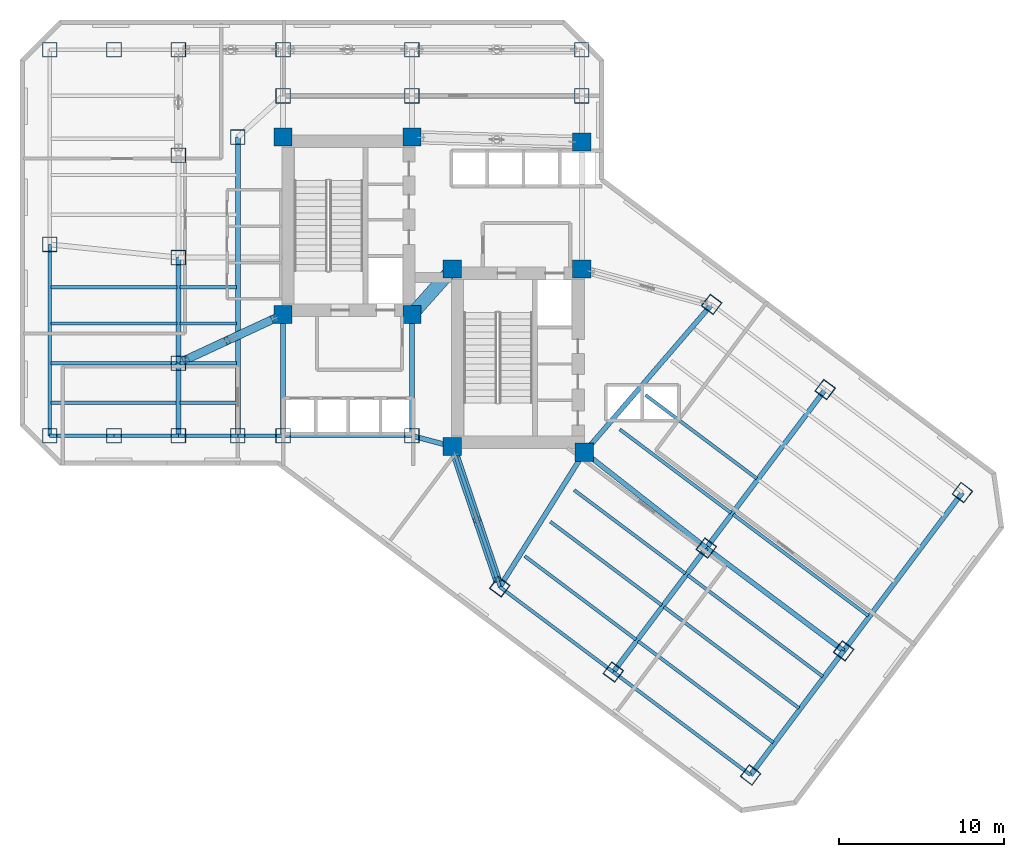
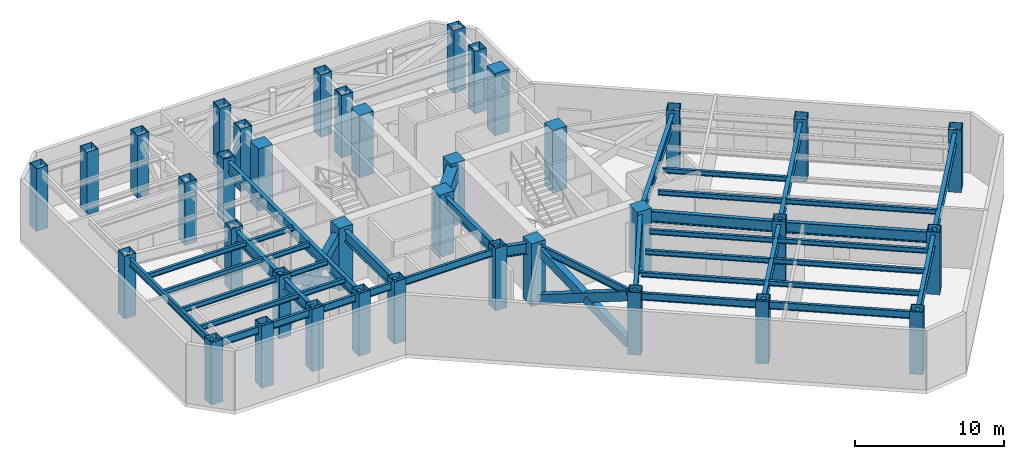
# One storey, part 1 of 14: 41 beams, 37 columns, 6 members.
"""IFC4 building model written with IfcOpenShell, lengths in metres."""

from ifc_helpers import new_model, si_unit, direction, frame, origin, origin_2d, place, context, subcontext, project, spatial, rectangle, hollow_rectangle, i_section, extrude, material, material_profile, profile_set, type_object, element, save


model = new_model("IFC4")

# Units and contexts
model_context = context("Model", 3, precision=1e-05, world=origin(), true_north=direction((0.0, 1.0)))
body_context = subcontext(model_context, "Body", "Model", "MODEL_VIEW")
ifc_project = project(units=[si_unit("LENGTHUNIT", "METRE"), si_unit("AREAUNIT", "SQUARE_METRE"), si_unit("VOLUMEUNIT", "CUBIC_METRE"), si_unit("PLANEANGLEUNIT", "RADIAN"), si_unit("MASSUNIT", "GRAM", prefix="KILO")], contexts=[model_context])

# Site, building, storey
site_placement = place(None, origin())
site = spatial("IfcSite", under=ifc_project, at=site_placement, CompositionType="ELEMENT")
building_placement = place(site_placement, origin())
building = spatial("IfcBuilding", under=site, at=building_placement, Name="Hatsunagi Terrace Concourse", CompositionType="ELEMENT")
storey_placement = place(building_placement, frame((0.0, 0.0, 91.35009765625)))
storey = spatial("IfcBuildingStorey", under=building, at=storey_placement, Name="L24", CompositionType="ELEMENT", Elevation=91.35009765625)

# Columns
ifc_material_1 = material(Name="Concrete Fc60", Category="concrete")
ifc_material_profile_1 = material_profile(ifc_material_1, rectangle(XDim=1.10009765625, YDim=1.10009765625, at=origin_2d()), Name="RC-1100x1100")
ifc_profile_set_1 = profile_set([ifc_material_profile_1], Name="Concrete Fc60")
column_type_1 = type_object("IfcColumnType", Name="CoreColumn_RC_1100x1100", PredefinedType="COLUMN", material=ifc_profile_set_1)
for number, where, z_axis, x_axis, name in (
    (1, (25.550048828125, 32.550048828125, 0.0), (0.0, 0.0, 1.0), (1.0, 0.0, 0.0), "Column C-01 L24-CASW"),
    (2, (33.35009765625, 32.550048828125, 0.0), (0.0, 0.0, 1.0), (1.0, 0.0, 0.0), "Column C-01 L24-CASE"),
    (3, (25.550048828125, 43.300048828125, 0.0), (0.0, 0.0, 1.0), (1.0, 0.0, 0.0), "Column C-01 L24-CANW"),
    (4, (33.35009765625, 43.300048828125, 0.0), (0.0, 0.0, 1.0), (1.0, 0.0, 0.0), "Column C-01 L24-CANE"),
    (5, (35.800048828125, 24.550048828125, 0.0), (0.0, 0.0, 1.0), (1.0, 0.0, 0.0), "Column C-01 L24-CBSW"),
    (6, (43.800048828125, 24.199951171875, 0.0), (0.0, 0.0, 1.0), (1.0, 0.0, 0.0), "Column C-01 L24-CBSE"),
    (7, (35.800048828125, 35.300048828125, 0.0), (0.0, 0.0, 1.0), (1.0, 0.0, 0.0), "Column C-01 L24-CBNW"),
    (8, (43.64990234375, 35.300048828125, 0.0), (0.0, 0.0, 1.0), (1.0, 0.0, 0.0), "Column C-01 L24-CBNE"),
    (9, (43.64990234375, 43.0, 0.0), (0.0, 0.0, 1.0), (1.0, 0.0, 0.0), "Column C-01 L24-K3"),
):
    element("IfcColumn", number, at=place(storey_placement, frame(where, z_axis=z_axis, x_axis=x_axis)), inside=storey, type_object=column_type_1, Name=name, PredefinedType="COLUMN", context=body_context, shape_type="SweptSolid", body=[
        extrude(rectangle(XDim=1.10009765625, YDim=1.10009765625, at=origin_2d()), origin(), (0.0, 0.0, 1.0), 5.099853515625),
    ])
ifc_material_2 = material(Name="Steel BCP325T", Category="steel")
ifc_material_profile_2 = material_profile(ifc_material_2, hollow_rectangle(XDim=0.89990234375, YDim=0.89990234375, WallThickness=0.035888671875, at=origin_2d()), Name="BCP-900x900x36")
ifc_profile_set_2 = profile_set([ifc_material_profile_2], Name="Steel BCP325T")
column_type_2 = type_object("IfcColumnType", Name="TowerBoxColumn_900x900x36", PredefinedType="COLUMN", material=ifc_profile_set_2)
for number, where, z_axis, x_axis, name in (
    (10, (25.550048828125, 25.199951171875, 0.0), (0.0, 0.0, 1.0), (1.0, 0.0, 0.0), "Column C-04 L24-K1"),
    (11, (33.35009765625, 25.199951171875, 0.0), (0.0, 0.0, 1.0), (1.0, 0.0, 0.0), "Column C-04 L24-K2"),
    (12, (25.550048828125, 45.800048828125, 0.0), (0.0, 0.0, 1.0), (1.0, 0.0, 0.0), "Column C-04 L24-CN1"),
    (13, (33.35009765625, 45.800048828125, 0.0), (0.0, 0.0, 1.0), (1.0, 0.0, 0.0), "Column C-04 L24-CN2"),
    (14, (43.64990234375, 45.800048828125, 0.0), (0.0, 0.0, 1.0), (1.0, 0.0, 0.0), "Column C-04 L24-CN3"),
    (15, (11.39990234375, 25.199951171875, 0.0), (0.0, 0.0, 1.0), (1.0, 0.0, 0.0), "Column C-04 L24-WS2"),
    (16, (11.39990234375, 48.60009765625, 0.0), (0.0, 0.0, 1.0), (1.0, 0.0, 0.0), "Column C-04 L24-WN2"),
    (17, (19.199951171875, 48.60009765625, 0.0), (0.0, 0.0, 1.0), (1.0, 0.0, 0.0), "Column C-04 L24-WN3"),
    (18, (25.550048828125, 48.60009765625, 0.0), (0.0, 0.0, 1.0), (1.0, 0.0, 0.0), "Column C-04 L24-WN4"),
    (19, (33.35009765625, 48.60009765625, 0.0), (0.0, 0.0, 1.0), (1.0, 0.0, 0.0), "Column C-04 L24-WN5"),
    (20, (43.64990234375, 48.60009765625, 0.0), (0.0, 0.0, 1.0), (1.0, 0.0, 0.0), "Column C-04 L24-WN6"),
    (21, (19.199951171875, 25.199951171875, 0.0), (0.0, 0.0, 1.0), (1.0, 0.0, 0.0), "Column C-04 L24-WS3"),
    (22, (19.199951171875, 29.60009765625, 0.0), (0.0, 0.0, 1.0), (1.0, 0.0, 0.0), "Column C-04 L24-WR1"),
    (23, (19.199951171875, 42.199951171875, 0.0), (0.0, 0.0, 1.0), (1.0, 0.0, 0.0), "Column C-04 L24-WR2"),
    (24, (22.800048828125, 25.199951171875, 0.0), (0.0, 0.0, 1.0), (1.0, 0.0, 0.0), "Column C-04 L24-CW1"),
    (25, (22.800048828125, 43.300048828125, 0.0), (0.0, 0.0, 1.0), (1.0, 0.0, 0.0), "Column C-04 L24-CW2"),
    (26, (11.39990234375, 36.800048828125, 0.0), (0.0, 0.0, 1.0), (1.0, 0.0, 0.0), "Column C-04 L24-WT1"),
    (27, (19.199951171875, 36.0, 0.0), (0.0, 0.0, 1.0), (1.0, 0.0, 0.0), "Column C-04 L24-WT2"),
    (28, (15.300048828125, 25.199951171875, 0.0), (0.0, 0.0, 1.0), (1.0, 0.0, 0.0), "Column C-04 L24-WT3"),
    (29, (15.300048828125, 48.60009765625, 0.0), (0.0, 0.0, 1.0), (1.0, 0.0, 0.0), "Column C-04 L24-WT4"),
    (30, (38.679931640625, 16.0400390625, 0.0), (0.0, 0.0, 1.0), (0.799999996291, -0.600000004945, 0.0), "Column C-04 L24-SES1"),
    (31, (51.52001953125, 33.159912109375, 0.0), (0.0, 0.0, 1.0), (0.799999996291, -0.600000004945, 0.0), "Column C-04 L24-SEN1"),
    (32, (45.56005859375, 10.8798828125, 0.0), (0.0, 0.0, 1.0), (0.799999996291, -0.600000004945, 0.0), "Column C-04 L24-SES2"),
    (33, (58.39990234375, 28.0, 0.0), (0.0, 0.0, 1.0), (0.799999996291, -0.600000004945, 0.0), "Column C-04 L24-SEN2"),
    (34, (51.199951171875, 18.39990234375, 0.0), (0.0, 0.0, 1.0), (0.799999996291, -0.600000004945, 0.0), "Column C-04 L24-SEM2"),
    (35, (53.8798828125, 4.639892578125, 0.0), (0.0, 0.0, 1.0), (0.799999996291, -0.600000004945, 0.0), "Column C-04 L24-SES3"),
    (36, (66.719970703125, 21.760009765625, 0.0), (0.0, 0.0, 1.0), (0.799999996291, -0.600000004945, 0.0), "Column C-04 L24-SEN3"),
    (37, (59.52001953125, 12.159912109375, 0.0), (0.0, 0.0, 1.0), (0.799999996291, -0.600000004945, 0.0), "Column C-04 L24-SEM3"),
):
    element("IfcColumn", number, at=place(storey_placement, frame(where, z_axis=z_axis, x_axis=x_axis)), inside=storey, type_object=column_type_2, Name=name, PredefinedType="COLUMN", context=body_context, shape_type="SweptSolid", body=[
        extrude(hollow_rectangle(XDim=0.89990234375, YDim=0.89990234375, WallThickness=0.035888671875, at=origin_2d()), origin(), (0.0, 0.0, 1.0), 5.099853515625),
    ])

# Beams
ifc_material_3 = material(Name="Concrete Fc60", Category="concrete")
ifc_material_profile_3 = material_profile(ifc_material_3, rectangle(XDim=0.800048828125, YDim=1.199951171875, at=origin_2d()), Name="RC-800x1200")
ifc_profile_set_3 = profile_set([ifc_material_profile_3], Name="Concrete Fc60")
beam_type_1 = type_object("IfcBeamType", Name="CoreCouplingBeam_RC_800x1200", PredefinedType="BEAM", material=ifc_profile_set_3)
beam_1_placement = place(storey_placement, frame((33.35009765625, 32.550048828125, 4.25), z_axis=(0.665198651008, 0.746666427997, 0.0), x_axis=(-0.746666427997, 0.665198651008, 0.0)))
element("IfcBeam", 38, at=beam_1_placement, inside=storey, type_object=beam_type_1, Name="Beam CB-01 CB-L24-1", PredefinedType="BEAM", context=body_context, shape_type="SweptSolid", body=[
    extrude(rectangle(XDim=0.800048828125, YDim=1.199951171875, at=origin_2d()), origin(), (0.0, 0.0, 1.0), 3.68310546875),
])
ifc_material_4 = material(Name="Steel SN490B", Category="steel")
ifc_material_profile_4 = material_profile(ifc_material_4, i_section(OverallWidth=0.300048828125, OverallDepth=0.89990234375, WebThickness=0.01611328125, FlangeThickness=0.028076171875, FilletRadius=0.02197265625, at=origin_2d()), Name="H-900x300x16x28")
ifc_profile_set_4 = profile_set([ifc_material_profile_4], Name="Steel SN490B")
beam_type_2 = type_object("IfcBeamType", Name="HeavyRefugeGirder_H_900x300", PredefinedType="BEAM", material=ifc_profile_set_4)
for number, where, z_axis, x_axis, name in (
    (39, (25.550048828125, 25.199951171875, 4.39990234375), (0.0, 1.0, 0.0), (-1.0, 0.0, 0.0), "Beam G-02 BM-L24-K1CA"),
    (40, (33.35009765625, 25.199951171875, 4.39990234375), (0.0, 1.0, 0.0), (-1.0, 0.0, 0.0), "Beam G-02 BM-L24-K2CA"),
):
    element("IfcBeam", number, at=place(storey_placement, frame(where, z_axis=z_axis, x_axis=x_axis)), inside=storey, type_object=beam_type_2, Name=name, PredefinedType="BEAM", context=body_context, shape_type="SweptSolid", body=[
        extrude(i_section(OverallWidth=0.300048828125, OverallDepth=0.89990234375, WebThickness=0.01611328125, FlangeThickness=0.028076171875, FilletRadius=0.02197265625, at=origin_2d()), origin(), (0.0, 0.0, 1.0), 7.35009765625),
    ])
beam_2_placement = place(storey_placement, frame((33.35009765625, 25.199951171875, 4.39990234375), z_axis=(0.966569840116, -0.256403479262, 0.0), x_axis=(0.256403479262, 0.966569840116, 0.0)))
element("IfcBeam", 41, at=beam_2_placement, inside=storey, type_object=beam_type_2, Name="Beam G-02 BM-L24-K2CB", PredefinedType="BEAM", context=body_context, shape_type="SweptSolid", body=[
    extrude(i_section(OverallWidth=0.300048828125, OverallDepth=0.89990234375, WebThickness=0.01611328125, FlangeThickness=0.028076171875, FilletRadius=0.02197265625, at=origin_2d()), origin(), (0.0, 0.0, 1.0), 2.53466796875),
])
beam_3_placement = place(storey_placement, frame((22.800048828125, 25.199951171875, 4.39990234375), z_axis=(0.0, 1.0, 0.0), x_axis=(-1.0, 0.0, 0.0)))
element("IfcBeam", 42, at=beam_3_placement, inside=storey, type_object=beam_type_2, Name="Beam G-02 BM-L24-CWNS", PredefinedType="BEAM", context=body_context, shape_type="SweptSolid", body=[
    extrude(i_section(OverallWidth=0.300048828125, OverallDepth=0.89990234375, WebThickness=0.01611328125, FlangeThickness=0.028076171875, FilletRadius=0.02197265625, at=origin_2d()), origin(), (0.0, 0.0, 1.0), 18.10009765625),
])
beam_4_placement = place(storey_placement, frame((19.199951171875, 25.199951171875, 4.39990234375), z_axis=(0.0, 1.0, 0.0), x_axis=(-1.0, 0.0, 0.0)))
element("IfcBeam", 43, at=beam_4_placement, inside=storey, type_object=beam_type_2, Name="Beam G-02 BM-L24-NS-19-25", PredefinedType="BEAM", context=body_context, shape_type="SweptSolid", body=[
    extrude(i_section(OverallWidth=0.300048828125, OverallDepth=0.89990234375, WebThickness=0.01611328125, FlangeThickness=0.028076171875, FilletRadius=0.02197265625, at=origin_2d()), origin(), (0.0, 0.0, 1.0), 4.400146484375),
])
beam_5_placement = place(storey_placement, frame((19.199951171875, 29.60009765625, 4.39990234375), z_axis=(0.0, 1.0, 0.0), x_axis=(-1.0, 0.0, 0.0)))
element("IfcBeam", 44, at=beam_5_placement, inside=storey, type_object=beam_type_2, Name="Beam G-02 BM-L24-NS-19-29", PredefinedType="BEAM", context=body_context, shape_type="SweptSolid", body=[
    extrude(i_section(OverallWidth=0.300048828125, OverallDepth=0.89990234375, WebThickness=0.01611328125, FlangeThickness=0.028076171875, FilletRadius=0.02197265625, at=origin_2d()), origin(), (0.0, 0.0, 1.0), 6.39990234375),
])
beam_6_placement = place(storey_placement, frame((38.679931640625, 16.0400390625, 4.39990234375), z_axis=(0.531503907049, 0.847055840421, 0.0), x_axis=(-0.847055840421, 0.531503907049, 0.0)))
element("IfcBeam", 45, at=beam_6_placement, inside=storey, type_object=beam_type_2, Name="Beam G-02 BM-L24-SET-1A", PredefinedType="BEAM", context=body_context, shape_type="SweptSolid", body=[
    extrude(i_section(OverallWidth=0.300048828125, OverallDepth=0.89990234375, WebThickness=0.01611328125, FlangeThickness=0.028076171875, FilletRadius=0.02197265625, at=origin_2d()), origin(), (0.0, 0.0, 1.0), 9.63330078125),
])
beam_7_placement = place(storey_placement, frame((43.800048828125, 24.199951171875, 4.39990234375), z_axis=(0.652739101421, 0.757582777969, 0.0), x_axis=(-0.757582777969, 0.652739101421, 0.0)))
element("IfcBeam", 46, at=beam_7_placement, inside=storey, type_object=beam_type_2, Name="Beam G-02 BM-L24-SET-1B", PredefinedType="BEAM", context=body_context, shape_type="SweptSolid", body=[
    extrude(i_section(OverallWidth=0.300048828125, OverallDepth=0.89990234375, WebThickness=0.01611328125, FlangeThickness=0.028076171875, FilletRadius=0.02197265625, at=origin_2d()), origin(), (0.0, 0.0, 1.0), 11.8271484375),
])
beam_8_placement = place(storey_placement, frame((43.800048828125, 24.199951171875, 4.39990234375), z_axis=(0.787049441068, -0.616889923175, 0.0), x_axis=(0.616889923175, 0.787049441068, 0.0)))
element("IfcBeam", 47, at=beam_8_placement, inside=storey, type_object=beam_type_2, Name="Beam G-02 BM-L24-SE-M2", PredefinedType="BEAM", context=body_context, shape_type="SweptSolid", body=[
    extrude(i_section(OverallWidth=0.300048828125, OverallDepth=0.89990234375, WebThickness=0.01611328125, FlangeThickness=0.028076171875, FilletRadius=0.02197265625, at=origin_2d()), origin(), (0.0, 0.0, 1.0), 9.402099609375),
])
beam_9_placement = place(storey_placement, frame((45.56005859375, 10.8798828125, 4.39990234375), z_axis=(0.599991688754, 0.800006233367, 0.0), x_axis=(-0.800006233367, 0.599991688754, 0.0)))
element("IfcBeam", 48, at=beam_9_placement, inside=storey, type_object=beam_type_2, Name="Beam G-02 BM-L24-SET-2A", PredefinedType="BEAM", context=body_context, shape_type="SweptSolid", body=[
    extrude(i_section(OverallWidth=0.300048828125, OverallDepth=0.89990234375, WebThickness=0.01611328125, FlangeThickness=0.028076171875, FilletRadius=0.02197265625, at=origin_2d()), origin(), (0.0, 0.0, 1.0), 9.39990234375),
])
beam_10_placement = place(storey_placement, frame((51.199951171875, 18.39990234375, 4.39990234375), z_axis=(0.59999348959, 0.800004882766, 0.0), x_axis=(-0.800004882766, 0.59999348959, 0.0)))
element("IfcBeam", 49, at=beam_10_placement, inside=storey, type_object=beam_type_2, Name="Beam G-02 BM-L24-SET-2B", PredefinedType="BEAM", context=body_context, shape_type="SweptSolid", body=[
    extrude(i_section(OverallWidth=0.300048828125, OverallDepth=0.89990234375, WebThickness=0.01611328125, FlangeThickness=0.028076171875, FilletRadius=0.02197265625, at=origin_2d()), origin(), (0.0, 0.0, 1.0), 12.0),
])
beam_11_placement = place(storey_placement, frame((51.199951171875, 18.39990234375, 4.39990234375), z_axis=(0.800002816985, -0.599996244001, 0.0), x_axis=(0.599996244001, 0.800002816985, 0.0)))
element("IfcBeam", 50, at=beam_11_placement, inside=storey, type_object=beam_type_2, Name="Beam G-02 BM-L24-SE-M3", PredefinedType="BEAM", context=body_context, shape_type="SweptSolid", body=[
    extrude(i_section(OverallWidth=0.300048828125, OverallDepth=0.89990234375, WebThickness=0.01611328125, FlangeThickness=0.028076171875, FilletRadius=0.02197265625, at=origin_2d()), origin(), (0.0, 0.0, 1.0), 10.400146484375),
])
beam_12_placement = place(storey_placement, frame((53.8798828125, 4.639892578125, 4.39990234375), z_axis=(0.600008311051, 0.799993766644, 0.0), x_axis=(-0.799993766644, 0.600008311051, 0.0)))
element("IfcBeam", 51, at=beam_12_placement, inside=storey, type_object=beam_type_2, Name="Beam G-02 BM-L24-SET-3A", PredefinedType="BEAM", context=body_context, shape_type="SweptSolid", body=[
    extrude(i_section(OverallWidth=0.300048828125, OverallDepth=0.89990234375, WebThickness=0.01611328125, FlangeThickness=0.028076171875, FilletRadius=0.02197265625, at=origin_2d()), origin(), (0.0, 0.0, 1.0), 9.400146484375),
])
beam_13_placement = place(storey_placement, frame((59.52001953125, 12.159912109375, 4.39990234375), z_axis=(0.59999348959, 0.800004882766, 0.0), x_axis=(-0.800004882766, 0.59999348959, 0.0)))
element("IfcBeam", 52, at=beam_13_placement, inside=storey, type_object=beam_type_2, Name="Beam G-02 BM-L24-SET-3B", PredefinedType="BEAM", context=body_context, shape_type="SweptSolid", body=[
    extrude(i_section(OverallWidth=0.300048828125, OverallDepth=0.89990234375, WebThickness=0.01611328125, FlangeThickness=0.028076171875, FilletRadius=0.02197265625, at=origin_2d()), origin(), (0.0, 0.0, 1.0), 12.0),
])

# Members
ifc_material_5 = material(Name="Steel SN490C", Category="steel")
ifc_material_profile_5 = material_profile(ifc_material_5, hollow_rectangle(XDim=0.5, YDim=0.699951171875, WallThickness=0.031982421875, at=origin_2d()), Name="RHS-700x500x32")
ifc_profile_set_5 = profile_set([ifc_material_profile_5], Name="Steel SN490C")
member_type = type_object("IfcMemberType", Name="OutriggerDiagonal_RHS_700x500x32", PredefinedType="BRACE", material=ifc_profile_set_5)
member_1_placement = place(storey_placement, frame((25.02587890625, 32.305908203125, 0.4599609375), z_axis=(-0.756562700074, -0.351475358966, 0.551432636771), x_axis=(0.42132243499, -0.906910913913, 0.0)))
element("IfcMember", 53, at=member_1_placement, inside=storey, type_object=member_type, Name="Primary Continuous Brace OUT-01 OUT-L24-1A", PredefinedType="BRACE", context=body_context, shape_type="SweptSolid", body=[
    extrude(hollow_rectangle(XDim=0.5, YDim=0.699951171875, WallThickness=0.031982421875, at=origin_2d()), origin(), (0.0, 0.0, 1.0), 7.126708984375),
])
for number, where, z_axis, x_axis, name in (
    (54, (25.02587890625, 32.305908203125, 4.389892578125), (-0.756548936033, -0.351387312201, -0.551507628426), (0.42124192444, -0.906948312251, 0.0), "Split Secondary Brace Upper OUT-01 OUT-L24-1B1"),
    (55, (22.22412109375, 31.00390625, 2.347900390625), (-0.756579431851, -0.351368353354, -0.551477872232), (0.421209263167, -0.906963481416, 0.0), "Split Secondary Brace Lower OUT-01 OUT-L24-1B2"),
):
    element("IfcMember", number, at=place(storey_placement, frame(where, z_axis=z_axis, x_axis=x_axis)), inside=storey, type_object=member_type, Name=name, PredefinedType="BRACE", context=body_context, shape_type="SweptSolid", body=[
        extrude(hollow_rectangle(XDim=0.5, YDim=0.699951171875, WallThickness=0.031982421875, at=origin_2d()), origin(), (0.0, 0.0, 1.0), 3.42333984375),
    ])
member_2_placement = place(storey_placement, frame((35.985107421875, 24.0029296875, 0.4599609375), z_axis=(0.287260403508, -0.848676265107, 0.444105908112), x_axis=(0.947210502755, 0.320612325824, 0.0)))
element("IfcMember", 56, at=member_2_placement, inside=storey, type_object=member_type, Name="Primary Continuous Brace OUT-01 OUT-L24-5A", PredefinedType="BRACE", context=body_context, shape_type="SweptSolid", body=[
    extrude(hollow_rectangle(XDim=0.5, YDim=0.699951171875, WallThickness=0.031982421875, at=origin_2d()), origin(), (0.0, 0.0, 1.0), 8.84912109375),
])
member_3_placement = place(storey_placement, frame((35.985107421875, 24.0029296875, 4.389892578125), z_axis=(0.287301498312, -0.848627769609, -0.444171991143), x_axis=(0.947191007617, 0.320669916095, 0.0)))
element("IfcMember", 57, at=member_3_placement, inside=storey, type_object=member_type, Name="Split Secondary Brace Upper OUT-01 OUT-L24-5B1", PredefinedType="BRACE", context=body_context, shape_type="SweptSolid", body=[
    extrude(hollow_rectangle(XDim=0.5, YDim=0.699951171875, WallThickness=0.031982421875, at=origin_2d()), origin(), (0.0, 0.0, 1.0), 4.28466796875),
])
member_4_placement = place(storey_placement, frame((37.2958984375, 20.12890625, 2.36279296875), z_axis=(0.28736104769, -0.848635352618, -0.44411897793), x_axis=(0.947171688782, 0.320726974184, 0.0)))
element("IfcMember", 58, at=member_4_placement, inside=storey, type_object=member_type, Name="Split Secondary Brace Lower OUT-01 OUT-L24-5B2", PredefinedType="BRACE", context=body_context, shape_type="SweptSolid", body=[
    extrude(hollow_rectangle(XDim=0.5, YDim=0.699951171875, WallThickness=0.031982421875, at=origin_2d()), origin(), (0.0, 0.0, 1.0), 4.284423828125),
])

# Beams
ifc_material_6 = material(Name="Steel SN490B", Category="steel")
ifc_material_profile_6 = material_profile(ifc_material_6, i_section(OverallWidth=0.199951171875, OverallDepth=0.60009765625, WebThickness=0.010986328125, FlangeThickness=0.01708984375, FilletRadius=0.01806640625, at=origin_2d()), Name="H-600x200x11x17")
ifc_profile_set_6 = profile_set([ifc_material_profile_6], Name="Steel SN490B")
beam_type_3 = type_object("IfcBeamType", Name="PerimeterSpandrel_H_600x200", PredefinedType="SPANDREL", material=ifc_profile_set_6)
beam_14_placement = place(storey_placement, frame((11.39990234375, 25.199951171875, 4.5498046875), z_axis=(1.0, 0.0, 0.0), x_axis=(0.0, 1.0, 0.0)))
element("IfcBeam", 59, at=beam_14_placement, inside=storey, type_object=beam_type_3, Name="Beam SP-01 BM-L24-WS-11", PredefinedType="SPANDREL", context=body_context, shape_type="SweptSolid", body=[
    extrude(i_section(OverallWidth=0.199951171875, OverallDepth=0.60009765625, WebThickness=0.010986328125, FlangeThickness=0.01708984375, FilletRadius=0.01806640625, at=origin_2d()), origin(), (0.0, 0.0, 1.0), 3.900146484375),
])
beam_15_placement = place(storey_placement, frame((15.300048828125, 25.199951171875, 4.5498046875), z_axis=(1.0, 0.0, 0.0), x_axis=(0.0, 1.0, 0.0)))
element("IfcBeam", 60, at=beam_15_placement, inside=storey, type_object=beam_type_3, Name="Beam SP-01 BM-L24-WS-15", PredefinedType="SPANDREL", context=body_context, shape_type="SweptSolid", body=[
    extrude(i_section(OverallWidth=0.199951171875, OverallDepth=0.60009765625, WebThickness=0.010986328125, FlangeThickness=0.01708984375, FilletRadius=0.01806640625, at=origin_2d()), origin(), (0.0, 0.0, 1.0), 3.89990234375),
])
beam_16_placement = place(storey_placement, frame((19.199951171875, 25.199951171875, 4.5498046875), z_axis=(1.0, 0.0, 0.0), x_axis=(0.0, 1.0, 0.0)))
element("IfcBeam", 61, at=beam_16_placement, inside=storey, type_object=beam_type_3, Name="Beam SP-01 BM-L24-WS-19", PredefinedType="SPANDREL", context=body_context, shape_type="SweptSolid", body=[
    extrude(i_section(OverallWidth=0.199951171875, OverallDepth=0.60009765625, WebThickness=0.010986328125, FlangeThickness=0.01708984375, FilletRadius=0.01806640625, at=origin_2d()), origin(), (0.0, 0.0, 1.0), 3.60009765625),
])
beam_17_placement = place(storey_placement, frame((22.800048828125, 25.199951171875, 4.5498046875), z_axis=(1.0, 0.0, 0.0), x_axis=(0.0, 1.0, 0.0)))
element("IfcBeam", 62, at=beam_17_placement, inside=storey, type_object=beam_type_3, Name="Beam SP-01 BM-L24-WS-22", PredefinedType="SPANDREL", context=body_context, shape_type="SweptSolid", body=[
    extrude(i_section(OverallWidth=0.199951171875, OverallDepth=0.60009765625, WebThickness=0.010986328125, FlangeThickness=0.01708984375, FilletRadius=0.01806640625, at=origin_2d()), origin(), (0.0, 0.0, 1.0), 2.75),
])
beam_18_placement = place(storey_placement, frame((25.550048828125, 25.199951171875, 4.5498046875), z_axis=(1.0, 0.0, 0.0), x_axis=(0.0, 1.0, 0.0)))
element("IfcBeam", 63, at=beam_18_placement, inside=storey, type_object=beam_type_3, Name="Beam SP-01 BM-L24-WS-25", PredefinedType="SPANDREL", context=body_context, shape_type="SweptSolid", body=[
    extrude(i_section(OverallWidth=0.199951171875, OverallDepth=0.60009765625, WebThickness=0.010986328125, FlangeThickness=0.01708984375, FilletRadius=0.01806640625, at=origin_2d()), origin(), (0.0, 0.0, 1.0), 7.800048828125),
])
beam_19_placement = place(storey_placement, frame((11.39990234375, 25.199951171875, 4.5498046875), z_axis=(0.0, 1.0, 0.0), x_axis=(-1.0, 0.0, 0.0)))
element("IfcBeam", 64, at=beam_19_placement, inside=storey, type_object=beam_type_3, Name="Beam SP-01 BM-L24-NS-11-25", PredefinedType="SPANDREL", context=body_context, shape_type="SweptSolid", body=[
    extrude(i_section(OverallWidth=0.199951171875, OverallDepth=0.60009765625, WebThickness=0.010986328125, FlangeThickness=0.01708984375, FilletRadius=0.01806640625, at=origin_2d()), origin(), (0.0, 0.0, 1.0), 11.60009765625),
])
beam_20_placement = place(storey_placement, frame((35.800048828125, 24.550048828125, 4.5498046875), z_axis=(0.320553412271, -0.947230441805, 0.0), x_axis=(0.947230441805, 0.320553412271, 0.0)))
element("IfcBeam", 65, at=beam_20_placement, inside=storey, type_object=beam_type_3, Name="Beam SP-01 BM-L24-SE-SW0", PredefinedType="SPANDREL", context=body_context, shape_type="SweptSolid", body=[
    extrude(i_section(OverallWidth=0.199951171875, OverallDepth=0.60009765625, WebThickness=0.010986328125, FlangeThickness=0.01708984375, FilletRadius=0.01806640625, at=origin_2d()), origin(), (0.0, 0.0, 1.0), 8.984130859375),
])
beam_21_placement = place(storey_placement, frame((38.679931640625, 16.0400390625, 4.5498046875), z_axis=(0.799996593451, -0.600004542038, 0.0), x_axis=(0.600004542038, 0.799996593451, 0.0)))
element("IfcBeam", 66, at=beam_21_placement, inside=storey, type_object=beam_type_3, Name="Beam SP-01 BM-L24-SE-SW2", PredefinedType="SPANDREL", context=body_context, shape_type="SweptSolid", body=[
    extrude(i_section(OverallWidth=0.199951171875, OverallDepth=0.60009765625, WebThickness=0.010986328125, FlangeThickness=0.01708984375, FilletRadius=0.01806640625, at=origin_2d()), origin(), (0.0, 0.0, 1.0), 8.60009765625),
])
beam_22_placement = place(storey_placement, frame((45.56005859375, 10.8798828125, 4.5498046875), z_axis=(0.799994365871, -0.600007512099, 0.0), x_axis=(0.600007512099, 0.799994365871, 0.0)))
element("IfcBeam", 67, at=beam_22_placement, inside=storey, type_object=beam_type_3, Name="Beam SP-01 BM-L24-SE-SW3", PredefinedType="SPANDREL", context=body_context, shape_type="SweptSolid", body=[
    extrude(i_section(OverallWidth=0.199951171875, OverallDepth=0.60009765625, WebThickness=0.010986328125, FlangeThickness=0.01708984375, FilletRadius=0.01806640625, at=origin_2d()), origin(), (0.0, 0.0, 1.0), 10.39990234375),
])
ifc_material_7 = material(Name="Steel SN490B", Category="steel")
ifc_material_profile_7 = material_profile(ifc_material_7, i_section(OverallWidth=0.199951171875, OverallDepth=0.39990234375, WebThickness=0.008056640625, FlangeThickness=0.012939453125, FilletRadius=0.012939453125, at=origin_2d()), Name="H-400x200x8x13")
ifc_profile_set_7 = profile_set([ifc_material_profile_7], Name="Steel SN490B")
beam_type_4 = type_object("IfcBeamType", Name="PodiumJoist_H_400x200", PredefinedType="JOIST", material=ifc_profile_set_7)
beam_23_placement = place(storey_placement, frame((11.465087890625, 27.199951171875, 4.64990234375), z_axis=(1.0, 0.0, 0.0), x_axis=(0.0, 1.0, 0.0)))
element("IfcBeam", 68, at=beam_23_placement, inside=storey, type_object=beam_type_4, Name="Beam J-01 J-L24-W-11-272", PredefinedType="JOIST", context=body_context, shape_type="SweptSolid", body=[
    extrude(i_section(OverallWidth=0.199951171875, OverallDepth=0.39990234375, WebThickness=0.008056640625, FlangeThickness=0.012939453125, FilletRadius=0.012939453125, at=origin_2d()), origin(), (0.0, 0.0, 1.0), 7.64990234375),
])
beam_24_placement = place(storey_placement, frame((19.284912109375, 27.199951171875, 4.64990234375), z_axis=(1.0, 0.0, 0.0), x_axis=(0.0, 1.0, 0.0)))
element("IfcBeam", 69, at=beam_24_placement, inside=storey, type_object=beam_type_4, Name="Beam J-01 J-L24-W-19-272", PredefinedType="JOIST", context=body_context, shape_type="SweptSolid", body=[
    extrude(i_section(OverallWidth=0.199951171875, OverallDepth=0.39990234375, WebThickness=0.008056640625, FlangeThickness=0.012939453125, FilletRadius=0.012939453125, at=origin_2d()), origin(), (0.0, 0.0, 1.0), 3.43017578125),
])
beam_25_placement = place(storey_placement, frame((11.465087890625, 29.60009765625, 4.64990234375), z_axis=(1.0, 0.0, 0.0), x_axis=(0.0, 1.0, 0.0)))
element("IfcBeam", 70, at=beam_25_placement, inside=storey, type_object=beam_type_4, Name="Beam J-01 J-L24-W-11-296", PredefinedType="JOIST", context=body_context, shape_type="SweptSolid", body=[
    extrude(i_section(OverallWidth=0.199951171875, OverallDepth=0.39990234375, WebThickness=0.008056640625, FlangeThickness=0.012939453125, FilletRadius=0.012939453125, at=origin_2d()), origin(), (0.0, 0.0, 1.0), 7.64990234375),
])
beam_26_placement = place(storey_placement, frame((19.284912109375, 29.60009765625, 4.64990234375), z_axis=(1.0, 0.0, 0.0), x_axis=(0.0, 1.0, 0.0)))
element("IfcBeam", 71, at=beam_26_placement, inside=storey, type_object=beam_type_4, Name="Beam J-01 J-L24-W-19-296", PredefinedType="JOIST", context=body_context, shape_type="SweptSolid", body=[
    extrude(i_section(OverallWidth=0.199951171875, OverallDepth=0.39990234375, WebThickness=0.008056640625, FlangeThickness=0.012939453125, FilletRadius=0.012939453125, at=origin_2d()), origin(), (0.0, 0.0, 1.0), 3.43017578125),
])
beam_27_placement = place(storey_placement, frame((11.465087890625, 32.0, 4.64990234375), z_axis=(1.0, 0.0, 0.0), x_axis=(0.0, 1.0, 0.0)))
element("IfcBeam", 72, at=beam_27_placement, inside=storey, type_object=beam_type_4, Name="Beam J-01 J-L24-W-11-320", PredefinedType="JOIST", context=body_context, shape_type="SweptSolid", body=[
    extrude(i_section(OverallWidth=0.199951171875, OverallDepth=0.39990234375, WebThickness=0.008056640625, FlangeThickness=0.012939453125, FilletRadius=0.012939453125, at=origin_2d()), origin(), (0.0, 0.0, 1.0), 7.64990234375),
])
beam_28_placement = place(storey_placement, frame((19.284912109375, 32.0, 4.64990234375), z_axis=(1.0, 0.0, 0.0), x_axis=(0.0, 1.0, 0.0)))
element("IfcBeam", 73, at=beam_28_placement, inside=storey, type_object=beam_type_4, Name="Beam J-01 J-L24-W-19-320", PredefinedType="JOIST", context=body_context, shape_type="SweptSolid", body=[
    extrude(i_section(OverallWidth=0.199951171875, OverallDepth=0.39990234375, WebThickness=0.008056640625, FlangeThickness=0.012939453125, FilletRadius=0.012939453125, at=origin_2d()), origin(), (0.0, 0.0, 1.0), 3.43017578125),
])
beam_29_placement = place(storey_placement, frame((11.465087890625, 34.199951171875, 4.64990234375), z_axis=(1.0, 0.0, 0.0), x_axis=(0.0, 1.0, 0.0)))
element("IfcBeam", 74, at=beam_29_placement, inside=storey, type_object=beam_type_4, Name="Beam J-01 J-L24-W-11-342", PredefinedType="JOIST", context=body_context, shape_type="SweptSolid", body=[
    extrude(i_section(OverallWidth=0.199951171875, OverallDepth=0.39990234375, WebThickness=0.008056640625, FlangeThickness=0.012939453125, FilletRadius=0.012939453125, at=origin_2d()), origin(), (0.0, 0.0, 1.0), 7.64990234375),
])
beam_30_placement = place(storey_placement, frame((19.284912109375, 34.199951171875, 4.64990234375), z_axis=(1.0, 0.0, 0.0), x_axis=(0.0, 1.0, 0.0)))
element("IfcBeam", 75, at=beam_30_placement, inside=storey, type_object=beam_type_4, Name="Beam J-01 J-L24-W-19-342", PredefinedType="JOIST", context=body_context, shape_type="SweptSolid", body=[
    extrude(i_section(OverallWidth=0.199951171875, OverallDepth=0.39990234375, WebThickness=0.008056640625, FlangeThickness=0.012939453125, FilletRadius=0.012939453125, at=origin_2d()), origin(), (0.0, 0.0, 1.0), 3.43017578125),
])
for number, where, z_axis, x_axis, name in (
    (76, (40.18798828125, 17.908935546875, 4.64990234375), (0.800003475366, -0.59999536615, 0.0), (0.59999536615, 0.800003475366, 0.0), "Beam J-01 J-L24-SE-2-46"),
    (77, (41.748046875, 19.989013671875, 4.64990234375), (0.799989573921, -0.600013901187, 0.0), (0.600013901187, 0.799989573921, 0.0), "Beam J-01 J-L24-SE-2-72"),
    (78, (43.18798828125, 21.908935546875, 4.64990234375), (0.800003475366, -0.59999536615, 0.0), (0.59999536615, 0.800003475366, 0.0), "Beam J-01 J-L24-SE-2-96"),
    (79, (45.947998046875, 25.589111328125, 4.64990234375), (0.799989573921, -0.600013901187, 0.0), (0.600013901187, 0.799989573921, 0.0), "Beam J-01 J-L24-SE-2-142"),
    (80, (47.508056640625, 27.6689453125, 4.64990234375), (0.800003475366, -0.59999536615, 0.0), (0.59999536615, 0.800003475366, 0.0), "Beam J-01 J-L24-SE-2-168"),
):
    element("IfcBeam", number, at=place(storey_placement, frame(where, z_axis=z_axis, x_axis=x_axis)), inside=storey, type_object=beam_type_4, Name=name, PredefinedType="JOIST", context=body_context, shape_type="SweptSolid", body=[
        extrude(i_section(OverallWidth=0.199951171875, OverallDepth=0.39990234375, WebThickness=0.008056640625, FlangeThickness=0.012939453125, FilletRadius=0.012939453125, at=origin_2d()), origin(), (0.0, 0.0, 1.0), 8.429931640625),
    ])
beam_31_placement = place(storey_placement, frame((47.068115234375, 12.7490234375, 4.64990234375), z_axis=(0.799997136125, -0.600003818481, 0.0), x_axis=(0.600003818481, 0.799997136125, 0.0)))
element("IfcBeam", 81, at=beam_31_placement, inside=storey, type_object=beam_type_4, Name="Beam J-01 J-L24-SE-3-46", PredefinedType="JOIST", context=body_context, shape_type="SweptSolid", body=[
    extrude(i_section(OverallWidth=0.199951171875, OverallDepth=0.39990234375, WebThickness=0.008056640625, FlangeThickness=0.012939453125, FilletRadius=0.012939453125, at=origin_2d()), origin(), (0.0, 0.0, 1.0), 10.229736328125),
])
beam_32_placement = place(storey_placement, frame((48.6279296875, 14.8291015625, 4.64990234375), z_axis=(0.799994272423, -0.600007636694, 0.0), x_axis=(0.600007636694, 0.799994272423, 0.0)))
element("IfcBeam", 82, at=beam_32_placement, inside=storey, type_object=beam_type_4, Name="Beam J-01 J-L24-SE-3-72", PredefinedType="JOIST", context=body_context, shape_type="SweptSolid", body=[
    extrude(i_section(OverallWidth=0.199951171875, OverallDepth=0.39990234375, WebThickness=0.008056640625, FlangeThickness=0.012939453125, FilletRadius=0.012939453125, at=origin_2d()), origin(), (0.0, 0.0, 1.0), 10.230224609375),
])
beam_33_placement = place(storey_placement, frame((50.068115234375, 16.7490234375, 4.64990234375), z_axis=(0.799997136125, -0.600003818481, 0.0), x_axis=(0.600003818481, 0.799997136125, 0.0)))
element("IfcBeam", 83, at=beam_33_placement, inside=storey, type_object=beam_type_4, Name="Beam J-01 J-L24-SE-3-96", PredefinedType="JOIST", context=body_context, shape_type="SweptSolid", body=[
    extrude(i_section(OverallWidth=0.199951171875, OverallDepth=0.39990234375, WebThickness=0.008056640625, FlangeThickness=0.012939453125, FilletRadius=0.012939453125, at=origin_2d()), origin(), (0.0, 0.0, 1.0), 10.229736328125),
])
beam_34_placement = place(storey_placement, frame((52.827880859375, 20.428955078125, 4.64990234375), z_axis=(0.800005727586, -0.599992363142, 0.0), x_axis=(0.599992363142, 0.800005727586, 0.0)))
element("IfcBeam", 84, at=beam_34_placement, inside=storey, type_object=beam_type_4, Name="Beam J-01 J-L24-SE-3-142", PredefinedType="JOIST", context=body_context, shape_type="SweptSolid", body=[
    extrude(i_section(OverallWidth=0.199951171875, OverallDepth=0.39990234375, WebThickness=0.008056640625, FlangeThickness=0.012939453125, FilletRadius=0.012939453125, at=origin_2d()), origin(), (0.0, 0.0, 1.0), 10.22998046875),
])

save(model, "model.ifc")
